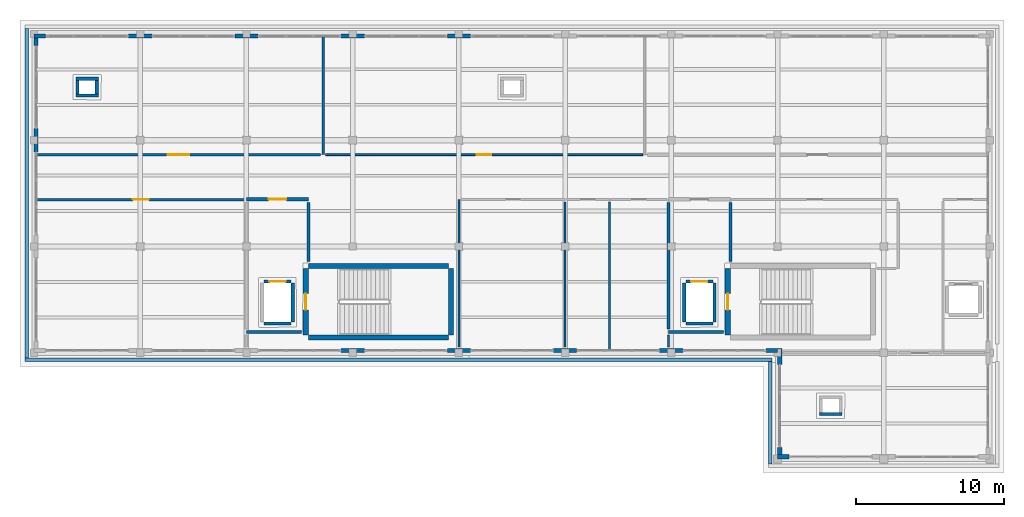
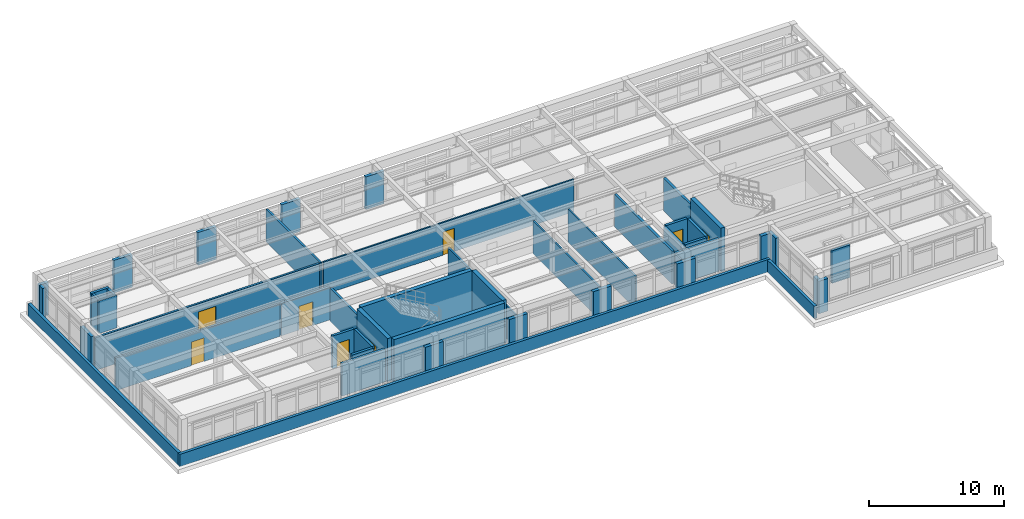
# One storey, part 15 of 20: 49 walls, 8 doors, 8 openings.
"""IFC4 building model written with IfcOpenShell, lengths in metres."""

from ifc_helpers import new_model, si_unit, direction, frame, frame_2d, origin, place, context, subcontext, project, spatial, rectangle, extrude, material, layer, layer_set, type_object, element, fill, save


model = new_model("IFC4")

# Units and contexts
model_context = context("Model", 3, precision=1e-05, world=origin(), true_north=direction((0.0, 1.0)))
body_context = subcontext(model_context, "Body", "Model", "MODEL_VIEW")
ifc_project = project(units=[si_unit("LENGTHUNIT", "METRE"), si_unit("AREAUNIT", "SQUARE_METRE"), si_unit("VOLUMEUNIT", "CUBIC_METRE"), si_unit("PLANEANGLEUNIT", "RADIAN"), si_unit("MASSUNIT", "GRAM", prefix="KILO")], contexts=[model_context])

# Site, building, storey
site_placement = place(None, origin())
site = spatial("IfcSite", under=ifc_project, at=site_placement, CompositionType="ELEMENT")
building_placement = place(site_placement, origin())
building = spatial("IfcBuilding", under=site, at=building_placement, Name="Solenvale Faculty of Natural Sciences", CompositionType="ELEMENT")
storey_placement = place(building_placement, frame((0.0, 0.0, 35.39990234375)))
storey = spatial("IfcBuildingStorey", under=building, at=storey_placement, Name="L08", CompositionType="ELEMENT", Elevation=35.39990234375)

# Walls
ifc_material_1 = material(Name="Precast concrete 40 MPa", Category="concrete")
ifc_layer_1 = layer(ifc_material_1, 0.284912109375)
ifc_layer_set_1 = layer_set([ifc_layer_1], Name="Precast concrete 40 MPa")
wall_type_1 = type_object("IfcWallType", Name="WL-EXT-PRC-285", PredefinedType="STANDARD", material=ifc_layer_set_1)
wall_1_placement = place(storey_placement, frame((115.988037109375, 115.0576171875, 0.0), z_axis=(0.0, 0.0, 1.0), x_axis=(-1.0, 0.0, 0.0)))
element("IfcWall", 1, at=wall_1_placement, inside=storey, type_object=wall_type_1, Name="L08 Facade Closure Pier 2.B5-R", PredefinedType="STANDARD", context=body_context, shape_type="SweptSolid", body=[
    extrude(rectangle(XDim=1.575927734375, YDim=0.284912109375, at=frame_2d((0.7880859375, 0.0))), origin(), (0.0, 0.0, 1.0), 2.960205078125),
])
wall_2_placement = place(storey_placement, frame((108.7880859375, 115.0576171875, 0.0), z_axis=(0.0, 0.0, 1.0), x_axis=(-1.0, 0.0, 0.0)))
element("IfcWall", 2, at=wall_2_placement, inside=storey, type_object=wall_type_1, Name="L08 Facade Closure Pier 2.B6-R", PredefinedType="STANDARD", context=body_context, shape_type="SweptSolid", body=[
    extrude(rectangle(XDim=1.576171875, YDim=0.284912109375, at=frame_2d((0.7880859375, 0.0))), origin(), (0.0, 0.0, 1.0), 2.960205078125),
])
for number, where, z_axis, x_axis, name in (
    (3, (101.587890625, 115.0576171875, 0.0), (0.0, 0.0, 1.0), (-1.0, 0.0, 0.0), "L08 Facade Closure Pier 2.B7-R"),
    (4, (94.387939453125, 115.0576171875, 0.0), (0.0, 0.0, 1.0), (-1.0, 0.0, 0.0), "L08 Facade Closure Pier 2.B8-R"),
):
    element("IfcWall", number, at=place(storey_placement, frame(where, z_axis=z_axis, x_axis=x_axis)), inside=storey, type_object=wall_type_1, Name=name, PredefinedType="STANDARD", context=body_context, shape_type="SweptSolid", body=[
        extrude(rectangle(XDim=1.575927734375, YDim=0.284912109375, at=frame_2d((0.7880859375, 0.0))), origin(), (0.0, 0.0, 1.0), 2.960205078125),
    ])
wall_3_placement = place(storey_placement, frame((87.18798828125, 115.0576171875, 0.0), z_axis=(0.0, 0.0, 1.0), x_axis=(-1.0, 0.0, 0.0)))
element("IfcWall", 5, at=wall_3_placement, inside=storey, type_object=wall_type_1, Name="L08 Facade Closure Pier 2.B9-R", PredefinedType="STANDARD", context=body_context, shape_type="SweptSolid", body=[
    extrude(rectangle(XDim=0.7880859375, YDim=0.284912109375, at=frame_2d((0.39404296875, 0.0))), origin(), (0.0, 0.0, 1.0), 2.960205078125),
])
wall_4_placement = place(storey_placement, frame((86.54248046875, 114.9150390625, 0.0), z_axis=(0.0, 0.0, 1.0), x_axis=(0.0, -1.0, 0.0)))
element("IfcWall", 6, at=wall_4_placement, inside=storey, type_object=wall_type_1, Name="L08 Facade Closure Pier 3.B1-L", PredefinedType="STANDARD", context=body_context, shape_type="SweptSolid", body=[
    extrude(rectangle(XDim=0.5029296875, YDim=0.284912109375, at=frame_2d((0.25146484375, 0.0))), origin(), (0.0, 0.0, 1.0), 2.960205078125),
])
for number, where, z_axis, x_axis, name in (
    (7, (86.54248046875, 108.7880859375, 0.0), (0.0, 0.0, 1.0), (0.0, -1.0, 0.0), "L08 Facade Closure Pier 3.B1-R"),
    (8, (107.2119140625, 93.742431640625, 0.0), (0.0, 0.0, 1.0), (1.0, 0.0, 0.0), "L08 Facade Closure Pier 4.B3-R"),
):
    element("IfcWall", number, at=place(storey_placement, frame(where, z_axis=z_axis, x_axis=x_axis)), inside=storey, type_object=wall_type_1, Name=name, PredefinedType="STANDARD", context=body_context, shape_type="SweptSolid", body=[
        extrude(rectangle(XDim=1.576171875, YDim=0.284912109375, at=frame_2d((0.7880859375, 0.0))), origin(), (0.0, 0.0, 1.0), 2.960205078125),
    ])
for number, where, z_axis, x_axis, name in (
    (9, (114.412109375, 93.742431640625, 0.0), (0.0, 0.0, 1.0), (1.0, 0.0, 0.0), "L08 Facade Closure Pier 4.B4-R"),
    (10, (121.612060546875, 93.742431640625, 0.0), (0.0, 0.0, 1.0), (1.0, 0.0, 0.0), "L08 Facade Closure Pier 4.B5-R"),
    (11, (128.81201171875, 93.742431640625, 0.0), (0.0, 0.0, 1.0), (1.0, 0.0, 0.0), "L08 Facade Closure Pier 4.B6-R"),
):
    element("IfcWall", number, at=place(storey_placement, frame(where, z_axis=z_axis, x_axis=x_axis)), inside=storey, type_object=wall_type_1, Name=name, PredefinedType="STANDARD", context=body_context, shape_type="SweptSolid", body=[
        extrude(rectangle(XDim=1.575927734375, YDim=0.284912109375, at=frame_2d((0.7880859375, 0.0))), origin(), (0.0, 0.0, 1.0), 2.960205078125),
    ])
wall_5_placement = place(storey_placement, frame((136.011962890625, 93.742431640625, 0.0), z_axis=(0.0, 0.0, 1.0), x_axis=(1.0, 0.0, 0.0)))
element("IfcWall", 12, at=wall_5_placement, inside=storey, type_object=wall_type_1, Name="L08 Facade Closure Pier 4.B7-R", PredefinedType="STANDARD", context=body_context, shape_type="SweptSolid", body=[
    extrude(rectangle(XDim=0.7880859375, YDim=0.284912109375, at=frame_2d((0.39404296875, 0.0))), origin(), (0.0, 0.0, 1.0), 2.960205078125),
])
wall_6_placement = place(storey_placement, frame((136.9423828125, 93.885009765625, 0.0), z_axis=(0.0, 0.0, 1.0), x_axis=(0.0, -1.0, 0.0)))
element("IfcWall", 13, at=wall_6_placement, inside=storey, type_object=wall_type_1, Name="L08 Facade Closure Pier 5.B1-L", PredefinedType="STANDARD", context=body_context, shape_type="SweptSolid", body=[
    extrude(rectangle(XDim=1.072998046875, YDim=0.284912109375, at=frame_2d((0.53662109375, 0.0))), origin(), (0.0, 0.0, 1.0), 2.960205078125),
])
wall_7_placement = place(storey_placement, frame((136.9423828125, 87.18798828125, 0.0), z_axis=(0.0, 0.0, 1.0), x_axis=(0.0, -1.0, 0.0)))
element("IfcWall", 14, at=wall_7_placement, inside=storey, type_object=wall_type_1, Name="L08 Facade Closure Pier 5.B1-R", PredefinedType="STANDARD", context=body_context, shape_type="SweptSolid", body=[
    extrude(rectangle(XDim=0.5029296875, YDim=0.284912109375, at=frame_2d((0.25146484375, 0.0))), origin(), (0.0, 0.0, 1.0), 2.960205078125),
])
wall_8_placement = place(storey_placement, frame((136.800048828125, 86.54248046875, 0.0), z_axis=(0.0, 0.0, 1.0), x_axis=(1.0, 0.0, 0.0)))
element("IfcWall", 15, at=wall_8_placement, inside=storey, type_object=wall_type_1, Name="L08 Facade Closure Pier 6.B1-L", PredefinedType="STANDARD", context=body_context, shape_type="SweptSolid", body=[
    extrude(rectangle(XDim=0.787841796875, YDim=0.284912109375, at=frame_2d((0.39404296875, 0.0))), origin(), (0.0, 0.0, 1.0), 2.960205078125),
])

# Wall, opening, door
ifc_material_2 = material(Name="Gypsum fire-rated shaftwall")
ifc_layer_2 = layer(ifc_material_2, 0.205078125)
ifc_layer_set_2 = layer_set([ifc_layer_2], Name="Gypsum fire-rated shaftwall")
wall_type_2 = type_object("IfcWallType", Name="WL-FFL-205", PredefinedType="PARTITIONING", material=ifc_layer_set_2)
wall_9_placement = place(storey_placement, frame((100.800048828125, 104.0, 0.0), z_axis=(0.0, 0.0, 1.0), x_axis=(1.0, 0.0, 0.0)))
wall_9 = element("IfcWall", 16, at=wall_9_placement, inside=storey, type_object=wall_type_2, Name="L08 Firefighting Lobby C4 Partition 1", PredefinedType="PARTITIONING", context=body_context, shape_type="SweptSolid", body=[
    extrude(rectangle(XDim=4.199951171875, YDim=0.205078125, at=frame_2d((2.10009765625, 0.0))), origin(), (0.0, 0.0, 1.0), 2.960205078125),
])
opening_1_placement = place(wall_9_placement, frame((1.5, 0.0, 0.0)))
opening_1 = element("IfcOpeningElement", 17, at=opening_1_placement, cuts=wall_9, Name="Opening D-L08-01", PredefinedType="OPENING", context=body_context, shape_type="SweptSolid", body=[
    extrude(rectangle(XDim=1.199951171875, YDim=2.14990234375, at=frame_2d((0.60009765625, 1.074951171875))), frame((0.0, 0.112548828125, 0.0), z_axis=(0.0, -1.0, 0.0), x_axis=(1.0, 0.0, 0.0)), (0.0, 0.0, 1.0), 0.22509765625),
])
ifc_material_3 = material(Name="Galvanised steel S355", Category="steel")
door_type_1 = type_object("IfcDoorType", Name="DR-FFL-1200x2150", OperationType="NOTDEFINED", PredefinedType="DOOR", material=ifc_material_3)
door_1_placement = place(opening_1_placement, origin())
door_1 = element("IfcDoor", 18, at=door_1_placement, inside=storey, type_object=door_type_1, Name="L08 Firefighting Lobby C4 Door", OperationType="SINGLE_SWING_RIGHT", OverallHeight=2.14990234375, OverallWidth=1.199951171875, PredefinedType="DOOR", context=body_context, shape_type="SweptSolid", body=[
    extrude(rectangle(XDim=1.199951171875, YDim=2.14990234375, at=frame_2d((0.60009765625, 1.074951171875))), frame((0.0, 0.02490234375, 0.0), z_axis=(0.0, -1.0, 0.0), x_axis=(1.0, 0.0, 0.0)), (0.0, 0.0, 1.0), 0.050048828125),
])
fill(opening_1, door_1)

# Walls
wall_10_placement = place(storey_placement, frame((105.0, 103.782958984375, 0.0), z_axis=(0.0, 0.0, 1.0), x_axis=(0.0, -1.0, 0.0)))
element("IfcWall", 19, at=wall_10_placement, inside=storey, type_object=wall_type_2, Name="L08 Firefighting Lobby C4 Partition 2", PredefinedType="PARTITIONING", context=body_context, shape_type="SweptSolid", body=[
    extrude(rectangle(XDim=4.01904296875, YDim=0.205078125, at=frame_2d((2.009521484375, 0.0))), origin(), (0.0, 0.0, 1.0), 2.960205078125),
])
wall_11_placement = place(storey_placement, frame((104.534912109375, 95.0, 0.0), z_axis=(0.0, 0.0, 1.0), x_axis=(-1.0, 0.0, 0.0)))
element("IfcWall", 20, at=wall_11_placement, inside=storey, type_object=wall_type_2, Name="L08 Firefighting Lobby C4 Partition 20", PredefinedType="PARTITIONING", context=body_context, shape_type="SweptSolid", body=[
    extrude(rectangle(XDim=3.73486328125, YDim=0.205078125, at=frame_2d((1.867431640625, 0.0))), origin(), (0.0, 0.0, 1.0), 2.960205078125),
])
wall_12_placement = place(storey_placement, frame((133.60009765625, 103.782958984375, 0.0), z_axis=(0.0, 0.0, 1.0), x_axis=(0.0, -1.0, 0.0)))
element("IfcWall", 21, at=wall_12_placement, inside=storey, type_object=wall_type_2, Name="L08 Firefighting Lobby C5 Partition 2", PredefinedType="PARTITIONING", context=body_context, shape_type="SweptSolid", body=[
    extrude(rectangle(XDim=4.01904296875, YDim=0.205078125, at=frame_2d((2.009521484375, 0.0))), origin(), (0.0, 0.0, 1.0), 2.960205078125),
])
wall_13_placement = place(storey_placement, frame((133.135986328125, 95.0, 0.0), z_axis=(0.0, 0.0, 1.0), x_axis=(-1.0, 0.0, 0.0)))
element("IfcWall", 22, at=wall_13_placement, inside=storey, type_object=wall_type_2, Name="L08 Firefighting Lobby C5 Partition 20", PredefinedType="PARTITIONING", context=body_context, shape_type="SweptSolid", body=[
    extrude(rectangle(XDim=3.736083984375, YDim=0.205078125, at=frame_2d((1.8681640625, 0.0))), origin(), (0.0, 0.0, 1.0), 2.960205078125),
])
wall_14_placement = place(storey_placement, frame((129.39990234375, 95.217041015625, 0.0), z_axis=(0.0, 0.0, 1.0), x_axis=(0.0, 1.0, 0.0)))
element("IfcWall", 23, at=wall_14_placement, inside=storey, type_object=wall_type_2, Name="L08 Firefighting Lobby C5 Partition 21", PredefinedType="PARTITIONING", context=body_context, shape_type="SweptSolid", body=[
    extrude(rectangle(XDim=8.56591796875, YDim=0.205078125, at=frame_2d((4.282958984375, 0.0))), origin(), (0.0, 0.0, 1.0), 2.960205078125),
])
ifc_material_4 = material(Name="Gypsum fire-rated laboratory partition")
ifc_layer_3 = layer(ifc_material_4, 0.175048828125)
ifc_layer_set_3 = layer_set([ifc_layer_3], Name="Gypsum fire-rated laboratory partition")
wall_type_3 = type_object("IfcWallType", Name="WL-LAB-175", PredefinedType="PARTITIONING", material=ifc_layer_set_3)
wall_15_placement = place(storey_placement, frame((106.0, 115.01708984375, 0.0), z_axis=(0.0, 0.0, 1.0), x_axis=(0.0, -1.0, 0.0)))
element("IfcWall", 24, at=wall_15_placement, inside=storey, type_object=wall_type_3, Name="L08 Biophysics and Neurobiology Research Laboratory Partition 3", PredefinedType="PARTITIONING", context=body_context, shape_type="SweptSolid", body=[
    extrude(rectangle(XDim=7.9970703125, YDim=0.175048828125, at=frame_2d((3.99853515625, 0.0))), origin(), (0.0, 0.0, 1.0), 2.960205078125),
])

# Wall, opening, door
wall_16_placement = place(storey_placement, frame((105.81298828125, 107.02001953125, 0.0), z_axis=(0.0, 0.0, 1.0), x_axis=(-1.0, 0.0, 0.0)))
wall_16 = element("IfcWall", 25, at=wall_16_placement, inside=storey, type_object=wall_type_3, Name="L08 Biophysics and Neurobiology Research Laboratory Partition 4", PredefinedType="PARTITIONING", context=body_context, shape_type="SweptSolid", body=[
    extrude(rectangle(XDim=19.22998046875, YDim=0.175048828125, at=frame_2d((9.614990234375, 0.0))), origin(), (0.0, 0.0, 1.0), 2.960205078125),
])
opening_2_placement = place(wall_16_placement, frame((8.875, 0.0, 0.0)))
opening_2 = element("IfcOpeningElement", 26, at=opening_2_placement, cuts=wall_16, Name="Opening D-L08-03", PredefinedType="OPENING", context=body_context, shape_type="SweptSolid", body=[
    extrude(rectangle(XDim=1.47998046875, YDim=2.199951171875, at=frame_2d((0.739990234375, 1.10009765625))), frame((0.0, 0.097412109375, 0.0), z_axis=(0.0, -1.0, 0.0), x_axis=(1.0, 0.0, 0.0)), (0.0, 0.0, 1.0), 0.195068359375),
])
ifc_material_5 = material(Name="Oak acoustic timber leaf", Category="wood")
door_type_2 = type_object("IfcDoorType", Name="DR-LAB-1480x2200", OperationType="NOTDEFINED", PredefinedType="DOOR", material=ifc_material_5)
door_2_placement = place(opening_2_placement, origin())
door_2 = element("IfcDoor", 27, at=door_2_placement, inside=storey, type_object=door_type_2, Name="L08 Biophysics and Neurobiology Research Laboratory Door", OperationType="SINGLE_SWING_RIGHT", OverallHeight=2.199951171875, OverallWidth=1.47998046875, PredefinedType="DOOR", context=body_context, shape_type="SweptSolid", body=[
    extrude(rectangle(XDim=1.47998046875, YDim=2.199951171875, at=frame_2d((0.739990234375, 1.10009765625))), frame((0.0, 0.02490234375, 0.0), z_axis=(0.0, -1.0, 0.0), x_axis=(1.0, 0.0, 0.0)), (0.0, 0.0, 1.0), 0.050048828125),
])
fill(opening_2, door_2)

ifc_material_6 = material(Name="Acoustic stud gypsum partition")
ifc_layer_4 = layer(ifc_material_6, 0.132080078125)
ifc_layer_set_4 = layer_set([ifc_layer_4], Name="Acoustic stud gypsum partition")
wall_type_4 = type_object("IfcWallType", Name="WL-OFF-132", PredefinedType="PARTITIONING", material=ifc_layer_set_4)
wall_17_placement = place(storey_placement, frame((127.656005859375, 107.02001953125, 0.0), z_axis=(0.0, 0.0, 1.0), x_axis=(-1.0, 0.0, 0.0)))
wall_17 = element("IfcWall", 28, at=wall_17_placement, inside=storey, type_object=wall_type_4, Name="L08 Faculty Staff Office Partition 4", PredefinedType="PARTITIONING", context=body_context, shape_type="SweptSolid", body=[
    extrude(rectangle(XDim=21.489990234375, YDim=0.132080078125, at=frame_2d((10.7451171875, 0.0))), origin(), (0.0, 0.0, 1.0), 2.960205078125),
])
opening_3_placement = place(wall_17_placement, frame((10.2548828125, 0.0, 0.0)))
opening_3 = element("IfcOpeningElement", 29, at=opening_3_placement, cuts=wall_17, Name="Opening D-L08-04", PredefinedType="OPENING", context=body_context, shape_type="SweptSolid", body=[
    extrude(rectangle(XDim=0.97998046875, YDim=2.10009765625, at=frame_2d((0.489990234375, 1.050048828125))), frame((0.0, 0.075927734375, 0.0), z_axis=(0.0, -1.0, 0.0), x_axis=(1.0, 0.0, 0.0)), (0.0, 0.0, 1.0), 0.152099609375),
])
door_type_3 = type_object("IfcDoorType", Name="DR-OFF-0980x2100", OperationType="NOTDEFINED", PredefinedType="DOOR", material=ifc_material_5)
door_3_placement = place(opening_3_placement, origin())
door_3 = element("IfcDoor", 30, at=door_3_placement, inside=storey, type_object=door_type_3, Name="L08 Faculty Staff Office Door", OperationType="SINGLE_SWING_LEFT", OverallHeight=2.10009765625, OverallWidth=0.97998046875, PredefinedType="DOOR", context=body_context, shape_type="SweptSolid", body=[
    extrude(rectangle(XDim=0.97998046875, YDim=2.10009765625, at=frame_2d((0.489990234375, 1.050048828125))), frame((0.0, 0.02490234375, 0.0), z_axis=(0.0, -1.0, 0.0), x_axis=(1.0, 0.0, 0.0)), (0.0, 0.0, 1.0), 0.050048828125),
])
fill(opening_3, door_3)

# Walls
ifc_layer_5 = layer(ifc_material_6, 0.14794921875)
ifc_layer_set_5 = layer_set([ifc_layer_5], Name="Acoustic stud gypsum partition")
wall_type_5 = type_object("IfcWallType", Name="WL-OFF-148", PredefinedType="PARTITIONING", material=ifc_layer_set_5)
wall_18_placement = place(storey_placement, frame((129.39990234375, 94.81103515625, 0.0), z_axis=(0.0, 0.0, 1.0), x_axis=(0.0, -1.0, 0.0)))
element("IfcWall", 31, at=wall_18_placement, inside=storey, type_object=wall_type_5, Name="L08 Analytical Balance Room Partition 20", PredefinedType="PARTITIONING", context=body_context, shape_type="SweptSolid", body=[
    extrude(rectangle(XDim=0.840087890625, YDim=0.14794921875, at=frame_2d((0.419921875, 0.0))), origin(), (0.0, 0.0, 1.0), 2.960205078125),
])
ifc_material_7 = material(Name="Architectural bronze concrete 40 MPa", Category="concrete")
ifc_layer_6 = layer(ifc_material_7, 0.239990234375)
ifc_layer_set_6 = layer_set([ifc_layer_6], Name="Architectural bronze concrete 40 MPa")
wall_type_6 = type_object("IfcWallType", Name="WL-PAR-BRZ-240", PredefinedType="PARAPET", material=ifc_layer_set_6)
wall_19_placement = place(storey_placement, frame((136.43994140625, 93.1201171875, 0.0), z_axis=(0.0, 0.0, 1.0), x_axis=(-1.0, 0.0, 0.0)))
element("IfcWall", 32, at=wall_19_placement, inside=storey, type_object=wall_type_6, Name="L08 Tower Horizontal Concrete Band 1", PredefinedType="PARAPET", context=body_context, shape_type="SweptSolid", body=[
    extrude(rectangle(XDim=50.639892578125, YDim=0.239990234375, at=frame_2d((25.31982421875, 0.0))), origin(), (0.0, 0.0, 1.0), 1.1201171875),
])
wall_20_placement = place(storey_placement, frame((85.919921875, 93.239990234375, 0.0), z_axis=(0.0, 0.0, 1.0), x_axis=(0.0, 1.0, 0.0)))
element("IfcWall", 33, at=wall_20_placement, inside=storey, type_object=wall_type_6, Name="L08 Tower Horizontal Concrete Band 2", PredefinedType="PARAPET", context=body_context, shape_type="SweptSolid", body=[
    extrude(rectangle(XDim=22.320068359375, YDim=0.239990234375, at=frame_2d((11.16015625, 0.0))), origin(), (0.0, 0.0, 1.0), 1.1201171875),
])
wall_21_placement = place(storey_placement, frame((136.320068359375, 86.0400390625, 0.0), z_axis=(0.0, 0.0, 1.0), x_axis=(0.0, 1.0, 0.0)))
element("IfcWall", 34, at=wall_21_placement, inside=storey, type_object=wall_type_6, Name="L08 Tower Horizontal Concrete Band 7", PredefinedType="PARAPET", context=body_context, shape_type="SweptSolid", body=[
    extrude(rectangle(XDim=6.9599609375, YDim=0.239990234375, at=frame_2d((3.47998046875, 0.0))), origin(), (0.0, 0.0, 1.0), 1.1201171875),
])

# Wall, opening, door
ifc_material_8 = material(Name="Acoustic double-stud gypsum partition")
ifc_layer_7 = layer(ifc_material_8, 0.1650390625)
ifc_layer_set_7 = layer_set([ifc_layer_7], Name="Acoustic double-stud gypsum partition")
wall_type_7 = type_object("IfcWallType", Name="WL-SEM-165", PredefinedType="PARTITIONING", material=ifc_layer_set_7)
wall_22_placement = place(storey_placement, frame((86.5830078125, 103.97998046875, 0.0), z_axis=(0.0, 0.0, 1.0), x_axis=(1.0, 0.0, 0.0)))
wall_22 = element("IfcWall", 35, at=wall_22_placement, inside=storey, type_object=wall_type_7, Name="L08 Learning Commons Partition 2", PredefinedType="PARTITIONING", context=body_context, shape_type="SweptSolid", body=[
    extrude(rectangle(XDim=14.123046875, YDim=0.1650390625, at=frame_2d((7.0615234375, 0.0))), origin(), (0.0, 0.0, 1.0), 2.960205078125),
])
opening_4_placement = place(wall_22_placement, frame((6.52197265625, 0.0, 0.0)))
opening_4 = element("IfcOpeningElement", 36, at=opening_4_placement, cuts=wall_22, Name="Opening D-L08-06", PredefinedType="OPENING", context=body_context, shape_type="SweptSolid", body=[
    extrude(rectangle(XDim=1.080078125, YDim=2.14990234375, at=frame_2d((0.5400390625, 1.074951171875))), frame((0.0, 0.092529296875, 0.0), z_axis=(0.0, -1.0, 0.0), x_axis=(1.0, 0.0, 0.0)), (0.0, 0.0, 1.0), 0.18505859375),
])
door_type_4 = type_object("IfcDoorType", Name="DR-SEM-1080x2150", OperationType="NOTDEFINED", PredefinedType="DOOR", material=ifc_material_5)
door_4_placement = place(opening_4_placement, origin())
door_4 = element("IfcDoor", 37, at=door_4_placement, inside=storey, type_object=door_type_4, Name="L08 Learning Commons Door", OperationType="SINGLE_SWING_LEFT", OverallHeight=2.14990234375, OverallWidth=1.080078125, PredefinedType="DOOR", context=body_context, shape_type="SweptSolid", body=[
    extrude(rectangle(XDim=1.080078125, YDim=2.14990234375, at=frame_2d((0.5400390625, 1.074951171875))), frame((0.0, 0.02490234375, 0.0), z_axis=(0.0, -1.0, 0.0), x_axis=(1.0, 0.0, 0.0)), (0.0, 0.0, 1.0), 0.050048828125),
])
fill(opening_4, door_4)

# Wall
ifc_material_9 = material(Name="Concrete 40 MPa", Category="concrete")
ifc_layer_8 = layer(ifc_material_9, 0.219970703125)
ifc_layer_set_8 = layer_set([ifc_layer_8], Name="Concrete 40 MPa")
wall_type_8 = type_object("IfcWallType", Name="WL-SHF-220", PredefinedType="STANDARD", material=ifc_layer_set_8)
wall_23_placement = place(storey_placement, frame((101.97998046875, 95.570068359375, 0.0), z_axis=(0.0, 0.0, 1.0), x_axis=(1.0, 0.0, 0.0)))
element("IfcWall", 38, at=wall_23_placement, inside=storey, type_object=wall_type_8, Name="Elevator LF-01 L08 Shaft Wall S", PredefinedType="STANDARD", context=body_context, shape_type="SweptSolid", body=[
    extrude(rectangle(XDim=1.840087890625, YDim=0.219970703125, at=frame_2d((0.919921875, 0.0))), origin(), (0.0, 0.0, 1.0), 2.960205078125),
])

# Wall, opening, door
wall_24_placement = place(storey_placement, frame((101.97998046875, 98.429931640625, 0.0), z_axis=(0.0, 0.0, 1.0), x_axis=(1.0, 0.0, 0.0)))
wall_24 = element("IfcWall", 39, at=wall_24_placement, inside=storey, type_object=wall_type_8, Name="Elevator LF-01 L08 Shaft Wall N", PredefinedType="STANDARD", context=body_context, shape_type="SweptSolid", body=[
    extrude(rectangle(XDim=1.840087890625, YDim=0.219970703125, at=frame_2d((0.919921875, 0.0))), origin(), (0.0, 0.0, 1.0), 2.960205078125),
])
opening_5_placement = place(wall_24_placement, frame((0.3701171875, 0.0, 0.0)))
opening_5 = element("IfcOpeningElement", 40, at=opening_5_placement, cuts=wall_24, Name="Opening LD-LF-01-L08", PredefinedType="OPENING", context=body_context, shape_type="SweptSolid", body=[
    extrude(rectangle(XDim=1.10009765625, YDim=2.14990234375, at=frame_2d((0.550048828125, 1.074951171875))), frame((0.0, 0.119873046875, 0.0), z_axis=(0.0, -1.0, 0.0), x_axis=(1.0, 0.0, 0.0)), (0.0, 0.0, 1.0), 0.239990234375),
])
ifc_material_10 = material(Name="Stainless steel Grade 304", Category="steel")
door_type_5 = type_object("IfcDoorType", Name="DR-LIFT-1100x2150", OperationType="NOTDEFINED", PredefinedType="DOOR", material=ifc_material_10)
door_5_placement = place(opening_5_placement, origin())
door_5 = element("IfcDoor", 41, at=door_5_placement, inside=storey, type_object=door_type_5, Name="Elevator LF-01 L08 Sliding Landing Door", OperationType="SLIDING_TO_LEFT", OverallHeight=2.14990234375, OverallWidth=1.10009765625, PredefinedType="DOOR", context=body_context, shape_type="SweptSolid", body=[
    extrude(rectangle(XDim=1.10009765625, YDim=2.14990234375, at=frame_2d((0.550048828125, 1.074951171875))), frame((0.0, 0.02490234375, 0.0), z_axis=(0.0, -1.0, 0.0), x_axis=(1.0, 0.0, 0.0)), (0.0, 0.0, 1.0), 0.050048828125),
])
fill(opening_5, door_5)

# Walls
wall_25_placement = place(storey_placement, frame((103.929931640625, 95.679931640625, 0.0), z_axis=(0.0, 0.0, 1.0), x_axis=(0.0, 1.0, 0.0)))
element("IfcWall", 42, at=wall_25_placement, inside=storey, type_object=wall_type_8, Name="Elevator LF-01 L08 Shaft Wall E", PredefinedType="STANDARD", context=body_context, shape_type="SweptSolid", body=[
    extrude(rectangle(XDim=2.64013671875, YDim=0.219970703125, at=frame_2d((1.320068359375, 0.0))), origin(), (0.0, 0.0, 1.0), 2.960205078125),
])
wall_26_placement = place(storey_placement, frame((130.580078125, 95.570068359375, 0.0), z_axis=(0.0, 0.0, 1.0), x_axis=(1.0, 0.0, 0.0)))
element("IfcWall", 43, at=wall_26_placement, inside=storey, type_object=wall_type_8, Name="Elevator LF-02 L08 Shaft Wall S", PredefinedType="STANDARD", context=body_context, shape_type="SweptSolid", body=[
    extrude(rectangle(XDim=1.83984375, YDim=0.219970703125, at=frame_2d((0.919921875, 0.0))), origin(), (0.0, 0.0, 1.0), 2.960205078125),
])

# Wall, opening, door
wall_27_placement = place(storey_placement, frame((130.580078125, 98.429931640625, 0.0), z_axis=(0.0, 0.0, 1.0), x_axis=(1.0, 0.0, 0.0)))
wall_27 = element("IfcWall", 44, at=wall_27_placement, inside=storey, type_object=wall_type_8, Name="Elevator LF-02 L08 Shaft Wall N", PredefinedType="STANDARD", context=body_context, shape_type="SweptSolid", body=[
    extrude(rectangle(XDim=1.83984375, YDim=0.219970703125, at=frame_2d((0.919921875, 0.0))), origin(), (0.0, 0.0, 1.0), 2.960205078125),
])
opening_6_placement = place(wall_27_placement, frame((0.3701171875, 0.0, 0.0)))
opening_6 = element("IfcOpeningElement", 45, at=opening_6_placement, cuts=wall_27, Name="Opening LD-LF-02-L08", PredefinedType="OPENING", context=body_context, shape_type="SweptSolid", body=[
    extrude(rectangle(XDim=1.10009765625, YDim=2.14990234375, at=frame_2d((0.550048828125, 1.074951171875))), frame((0.0, 0.119873046875, 0.0), z_axis=(0.0, -1.0, 0.0), x_axis=(1.0, 0.0, 0.0)), (0.0, 0.0, 1.0), 0.239990234375),
])
door_6_placement = place(opening_6_placement, origin())
door_6 = element("IfcDoor", 46, at=door_6_placement, inside=storey, type_object=door_type_5, Name="Elevator LF-02 L08 Sliding Landing Door", OperationType="SLIDING_TO_LEFT", OverallHeight=2.14990234375, OverallWidth=1.10009765625, PredefinedType="DOOR", context=body_context, shape_type="SweptSolid", body=[
    extrude(rectangle(XDim=1.10009765625, YDim=2.14990234375, at=frame_2d((0.550048828125, 1.074951171875))), frame((0.0, 0.02490234375, 0.0), z_axis=(0.0, -1.0, 0.0), x_axis=(1.0, 0.0, 0.0)), (0.0, 0.0, 1.0), 0.050048828125),
])
fill(opening_6, door_6)

# Walls
for number, where, z_axis, x_axis, name in (
    (47, (130.469970703125, 95.679931640625, 0.0), (0.0, 0.0, 1.0), (0.0, 1.0, 0.0), "Elevator LF-02 L08 Shaft Wall W"),
    (48, (132.530029296875, 95.679931640625, 0.0), (0.0, 0.0, 1.0), (0.0, 1.0, 0.0), "Elevator LF-02 L08 Shaft Wall E"),
):
    element("IfcWall", number, at=place(storey_placement, frame(where, z_axis=z_axis, x_axis=x_axis)), inside=storey, type_object=wall_type_8, Name=name, PredefinedType="STANDARD", context=body_context, shape_type="SweptSolid", body=[
        extrude(rectangle(XDim=2.64013671875, YDim=0.219970703125, at=frame_2d((1.320068359375, 0.0))), origin(), (0.0, 0.0, 1.0), 2.960205078125),
    ])
for number, where, z_axis, x_axis, name in (
    (49, (89.22998046875, 111.0400390625, 0.0), (0.0, 0.0, 1.0), (1.0, 0.0, 0.0), "L08 Service Riser Shaft 1 Wall S"),
    (50, (89.22998046875, 112.159912109375, 0.0), (0.0, 0.0, 1.0), (1.0, 0.0, 0.0), "L08 Service Riser Shaft 1 Wall N"),
):
    element("IfcWall", number, at=place(storey_placement, frame(where, z_axis=z_axis, x_axis=x_axis)), inside=storey, type_object=wall_type_8, Name=name, PredefinedType="STANDARD", context=body_context, shape_type="SweptSolid", body=[
        extrude(rectangle(XDim=1.5400390625, YDim=0.219970703125, at=frame_2d((0.77001953125, 0.0))), origin(), (0.0, 0.0, 1.0), 2.960205078125),
    ])
for number, where, z_axis, x_axis, name in (
    (51, (89.340087890625, 111.14990234375, 0.0), (0.0, 0.0, 1.0), (0.0, 1.0, 0.0), "L08 Service Riser Shaft 1 Wall W"),
    (52, (90.659912109375, 111.14990234375, 0.0), (0.0, 0.0, 1.0), (0.0, 1.0, 0.0), "L08 Service Riser Shaft 1 Wall E"),
):
    element("IfcWall", number, at=place(storey_placement, frame(where, z_axis=z_axis, x_axis=x_axis)), inside=storey, type_object=wall_type_8, Name=name, PredefinedType="STANDARD", context=body_context, shape_type="SweptSolid", body=[
        extrude(rectangle(XDim=0.900146484375, YDim=0.219970703125, at=frame_2d((0.4501953125, 0.0))), origin(), (0.0, 0.0, 1.0), 2.960205078125),
    ])
wall_28_placement = place(storey_placement, frame((139.6298828125, 89.43994140625, 0.0), z_axis=(0.0, 0.0, 1.0), x_axis=(1.0, 0.0, 0.0)))
element("IfcWall", 53, at=wall_28_placement, inside=storey, type_object=wall_type_8, Name="L08 Service Riser Shaft 3 Wall S", PredefinedType="STANDARD", context=body_context, shape_type="SweptSolid", body=[
    extrude(rectangle(XDim=1.5400390625, YDim=0.219970703125, at=frame_2d((0.77001953125, 0.0))), origin(), (0.0, 0.0, 1.0), 2.960205078125),
])
ifc_material_11 = material(Name="Concrete 50 MPa", Category="concrete")
ifc_layer_9 = layer(ifc_material_11, 0.35009765625)
ifc_layer_set_9 = layer_set([ifc_layer_9], Name="Concrete 50 MPa")
wall_type_9 = type_object("IfcWallType", Name="WL-SHR-350", PredefinedType="SHEAR", material=ifc_layer_set_9)
for number, where, z_axis, x_axis, name in (
    (54, (105.0, 94.625, 0.0), (0.0, 0.0, 1.0), (1.0, 0.0, 0.0), "Core C4 L08 Shear Wall S"),
    (55, (105.0, 99.47509765625, 0.0), (0.0, 0.0, 1.0), (1.0, 0.0, 0.0), "Core C4 L08 Shear Wall N"),
):
    element("IfcWall", number, at=place(storey_placement, frame(where, z_axis=z_axis, x_axis=x_axis)), inside=storey, type_object=wall_type_9, Name=name, PredefinedType="SHEAR", context=body_context, shape_type="SweptSolid", body=[
        extrude(rectangle(XDim=9.5, YDim=0.35009765625, at=frame_2d((4.75, 0.0))), origin(), (0.0, 0.0, 1.0), 3.920166015625),
    ])

# Wall, opening, door
wall_29_placement = place(storey_placement, frame((104.824951171875, 94.800048828125, 0.0), z_axis=(0.0, 0.0, 1.0), x_axis=(0.0, 1.0, 0.0)))
wall_29 = element("IfcWall", 56, at=wall_29_placement, inside=storey, type_object=wall_type_9, Name="Core C4 L08 Shear Wall W", PredefinedType="SHEAR", context=body_context, shape_type="SweptSolid", body=[
    extrude(rectangle(XDim=4.5, YDim=0.35009765625, at=frame_2d((2.25, 0.0))), origin(), (0.0, 0.0, 1.0), 3.920166015625),
])
opening_7_placement = place(wall_29_placement, frame((1.699951171875, 0.0, 0.0)))
opening_7 = element("IfcOpeningElement", 57, at=opening_7_placement, cuts=wall_29, Name="Opening DS-C4-L08", PredefinedType="OPENING", context=body_context, shape_type="SweptSolid", body=[
    extrude(rectangle(XDim=1.10009765625, YDim=2.14990234375, at=frame_2d((0.550048828125, 1.074951171875))), frame((0.0, 0.18505859375, 0.0), z_axis=(0.0, -1.0, 0.0), x_axis=(1.0, 0.0, 0.0)), (0.0, 0.0, 1.0), 0.3701171875),
])
door_type_6 = type_object("IfcDoorType", Name="DR-STAIR-1100x2150", OperationType="NOTDEFINED", PredefinedType="DOOR", material=ifc_material_3)
door_7_placement = place(opening_7_placement, origin())
door_7 = element("IfcDoor", 58, at=door_7_placement, inside=storey, type_object=door_type_6, Name="L08 Stair ST-04 Fire Door", OperationType="SINGLE_SWING_LEFT", OverallHeight=2.14990234375, OverallWidth=1.10009765625, PredefinedType="DOOR", context=body_context, shape_type="SweptSolid", body=[
    extrude(rectangle(XDim=1.10009765625, YDim=2.14990234375, at=frame_2d((0.550048828125, 1.074951171875))), frame((0.0, 0.02490234375, 0.0), z_axis=(0.0, -1.0, 0.0), x_axis=(1.0, 0.0, 0.0)), (0.0, 0.0, 1.0), 0.050048828125),
])
fill(opening_7, door_7)

# Wall
wall_30_placement = place(storey_placement, frame((114.675048828125, 94.800048828125, 0.0), z_axis=(0.0, 0.0, 1.0), x_axis=(0.0, 1.0, 0.0)))
element("IfcWall", 59, at=wall_30_placement, inside=storey, type_object=wall_type_9, Name="Core C4 L08 Shear Wall E", PredefinedType="SHEAR", context=body_context, shape_type="SweptSolid", body=[
    extrude(rectangle(XDim=4.5, YDim=0.35009765625, at=frame_2d((2.25, 0.0))), origin(), (0.0, 0.0, 1.0), 3.920166015625),
])

# Wall, opening, door
wall_31_placement = place(storey_placement, frame((133.425048828125, 94.800048828125, 0.0), z_axis=(0.0, 0.0, 1.0), x_axis=(0.0, 1.0, 0.0)))
wall_31 = element("IfcWall", 60, at=wall_31_placement, inside=storey, type_object=wall_type_9, Name="Core C5 L08 Shear Wall W", PredefinedType="SHEAR", context=body_context, shape_type="SweptSolid", body=[
    extrude(rectangle(XDim=4.5, YDim=0.35009765625, at=frame_2d((2.25, 0.0))), origin(), (0.0, 0.0, 1.0), 3.920166015625),
])
opening_8_placement = place(wall_31_placement, frame((1.699951171875, 0.0, 0.0)))
opening_8 = element("IfcOpeningElement", 61, at=opening_8_placement, cuts=wall_31, Name="Opening DS-C5-L08", PredefinedType="OPENING", context=body_context, shape_type="SweptSolid", body=[
    extrude(rectangle(XDim=1.10009765625, YDim=2.14990234375, at=frame_2d((0.550048828125, 1.074951171875))), frame((0.0, 0.18505859375, 0.0), z_axis=(0.0, -1.0, 0.0), x_axis=(1.0, 0.0, 0.0)), (0.0, 0.0, 1.0), 0.3701171875),
])
door_8_placement = place(opening_8_placement, origin())
door_8 = element("IfcDoor", 62, at=door_8_placement, inside=storey, type_object=door_type_6, Name="L08 Stair ST-05 Fire Door", OperationType="SINGLE_SWING_LEFT", OverallHeight=2.14990234375, OverallWidth=1.10009765625, PredefinedType="DOOR", context=body_context, shape_type="SweptSolid", body=[
    extrude(rectangle(XDim=1.10009765625, YDim=2.14990234375, at=frame_2d((0.550048828125, 1.074951171875))), frame((0.0, 0.02490234375, 0.0), z_axis=(0.0, -1.0, 0.0), x_axis=(1.0, 0.0, 0.0)), (0.0, 0.0, 1.0), 0.050048828125),
])
fill(opening_8, door_8)

# Walls
ifc_material_12 = material(Name="Moisture-resistant tile partition")
ifc_layer_10 = layer(ifc_material_12, 0.14990234375)
ifc_layer_set_10 = layer_set([ifc_layer_10], Name="Moisture-resistant tile partition")
wall_type_10 = type_object("IfcWallType", Name="WL-WC-150", PredefinedType="PARTITIONING", material=ifc_layer_set_10)
wall_32_placement = place(storey_placement, frame((115.199951171875, 93.971923828125, 0.0), z_axis=(0.0, 0.0, 1.0), x_axis=(0.0, 1.0, 0.0)))
element("IfcWall", 63, at=wall_32_placement, inside=storey, type_object=wall_type_10, Name="L08 Public Washroom Partition 1", PredefinedType="PARTITIONING", context=body_context, shape_type="SweptSolid", body=[
    extrude(rectangle(XDim=10.008056640625, YDim=0.14990234375, at=frame_2d((5.00390625, 0.0))), origin(), (0.0, 0.0, 1.0), 2.960205078125),
])
wall_33_placement = place(storey_placement, frame((122.39990234375, 103.818115234375, 0.0), z_axis=(0.0, 0.0, 1.0), x_axis=(0.0, -1.0, 0.0)))
element("IfcWall", 64, at=wall_33_placement, inside=storey, type_object=wall_type_10, Name="L08 Public Washroom Partition 3", PredefinedType="PARTITIONING", context=body_context, shape_type="SweptSolid", body=[
    extrude(rectangle(XDim=9.84619140625, YDim=0.14990234375, at=frame_2d((4.923095703125, 0.0))), origin(), (0.0, 0.0, 1.0), 2.960205078125),
])
wall_34_placement = place(storey_placement, frame((125.39990234375, 103.818115234375, 0.0), z_axis=(0.0, 0.0, 1.0), x_axis=(0.0, -1.0, 0.0)))
element("IfcWall", 65, at=wall_34_placement, inside=storey, type_object=wall_type_10, Name="L08 Accessible Washroom Partition 3", PredefinedType="PARTITIONING", context=body_context, shape_type="SweptSolid", body=[
    extrude(rectangle(XDim=10.03515625, YDim=0.14990234375, at=frame_2d((5.017578125, 0.0))), origin(), (0.0, 0.0, 1.0), 2.960205078125),
])

save(model, "model.ifc")
